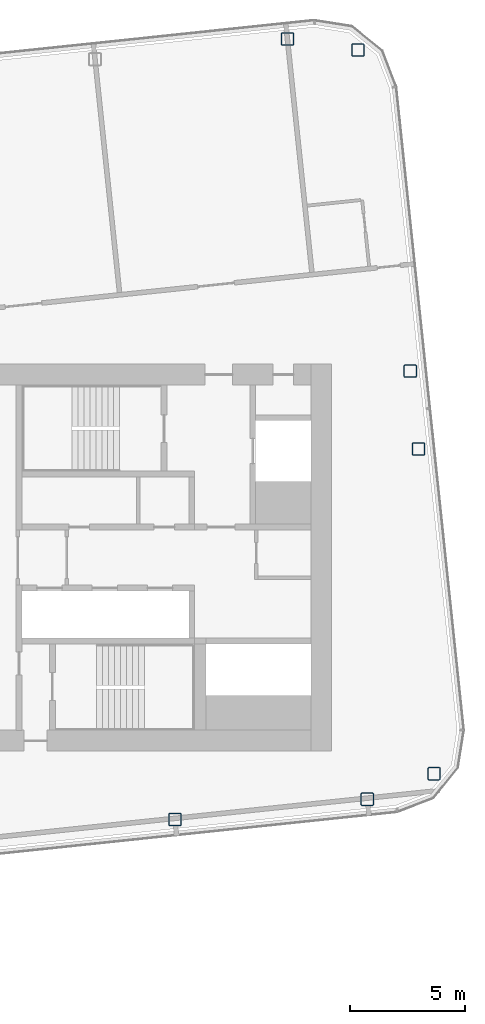
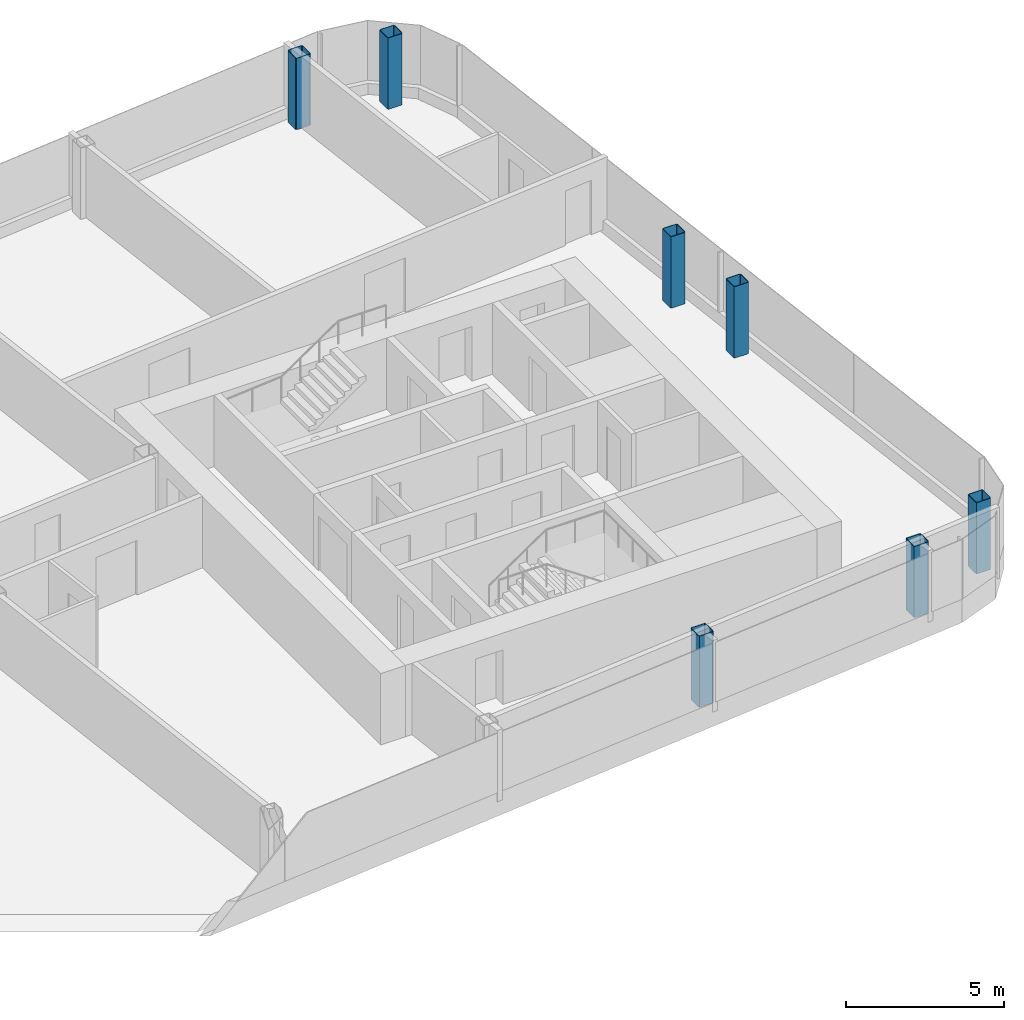
# One storey, part 2 of 27: 7 columns.
"""IFC4 building model written with IfcOpenShell, lengths in metres."""

from ifc_helpers import new_model, si_unit, direction, frame, origin, origin_2d, place, context, subcontext, project, spatial, hollow_rectangle, extrude, material, material_profile, profile_set, type_object, element, save


model = new_model("IFC4")

# Units and contexts
model_context = context("Model", 3, precision=1e-05, world=origin(), true_north=direction((0.0, 1.0)))
body_context = subcontext(model_context, "Body", "Model", "MODEL_VIEW")
ifc_project = project(units=[si_unit("LENGTHUNIT", "METRE"), si_unit("AREAUNIT", "SQUARE_METRE"), si_unit("VOLUMEUNIT", "CUBIC_METRE"), si_unit("PLANEANGLEUNIT", "RADIAN"), si_unit("MASSUNIT", "GRAM", prefix="KILO")], contexts=[model_context])

# Site, building, storey
site_placement = place(None, origin())
site = spatial("IfcSite", under=ifc_project, at=site_placement, CompositionType="ELEMENT")
building_placement = place(site_placement, origin())
building = spatial("IfcBuilding", under=site, at=building_placement, Name="Hakoniwa Tower and Hamabe Station Hall", CompositionType="ELEMENT")
storey_placement = place(building_placement, frame((0.0, 0.0, 242.199951171875)))
storey = spatial("IfcBuildingStorey", under=building, at=storey_placement, Name="L68", CompositionType="ELEMENT", Elevation=242.199951171875)

# Columns
ifc_material = material(Name="Steel BCP325", Category="steel")
ifc_material_profile = material_profile(ifc_material, hollow_rectangle(XDim=0.550048828125, YDim=0.550048828125, WallThickness=0.02197265625, InnerFilletRadius=0.032958984375, OuterFilletRadius=0.054931640625, at=origin_2d()), Name="BCP-550x550x22")
ifc_profile_set = profile_set([ifc_material_profile], Name="Steel BCP325")
column_type = type_object("IfcColumnType", Name="COLUMN BCP-550x550x22", PredefinedType="COLUMN", material=ifc_profile_set)
for number, where, z_axis, x_axis, name in (
    (1, (26.797119140625, -11.375, 0.0), (0.0, 0.0, 1.0), (1.0, 0.0, 0.0), "Column B5-10-A5"),
    (2, (35.151123046875, -10.496826171875, 0.0), (0.0, 0.0, 1.0), (1.0, 0.0, 0.0), "Column B5-11-A5"),
    (3, (31.680908203125, 22.521240234375, 0.0), (0.0, 0.0, 1.0), (1.0, 0.0, 0.0), "Column B5-11-F5"),
    (4, (38.054443359375, -9.390380859375, 0.0), (0.0, 0.0, 1.0), (1.0, 0.0, 0.0), "Column B5-EE-A5"),
    (5, (37.372802734375, 4.71875, 0.0), (0.0, 0.0, 1.0), (1.0, 0.0, 0.0), "Column B5-EE-C5"),
    (6, (37.017333984375, 8.10009765625, 0.0), (0.0, 0.0, 1.0), (1.0, 0.0, 0.0), "Column B5-EE-D5"),
    (7, (34.750732421875, 22.04248046875, 0.0), (0.0, 0.0, 1.0), (1.0, 0.0, 0.0), "Column B5-EE-F5"),
):
    element("IfcColumn", number, at=place(storey_placement, frame(where, z_axis=z_axis, x_axis=x_axis)), inside=storey, type_object=column_type, Name=name, PredefinedType="COLUMN", context=body_context, shape_type="SweptSolid", body=[
        extrude(hollow_rectangle(XDim=0.550048828125, YDim=0.550048828125, WallThickness=0.02197265625, InnerFilletRadius=0.032958984375, OuterFilletRadius=0.054931640625, at=origin_2d()), origin(), (0.0, 0.0, 1.0), 2.75),
    ])

save(model, "model.ifc")
